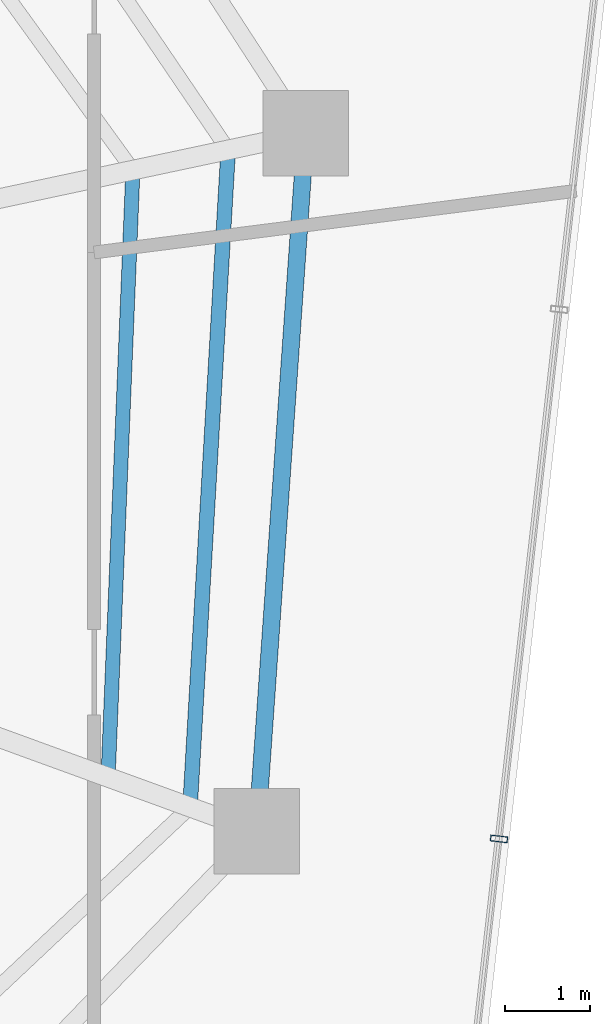
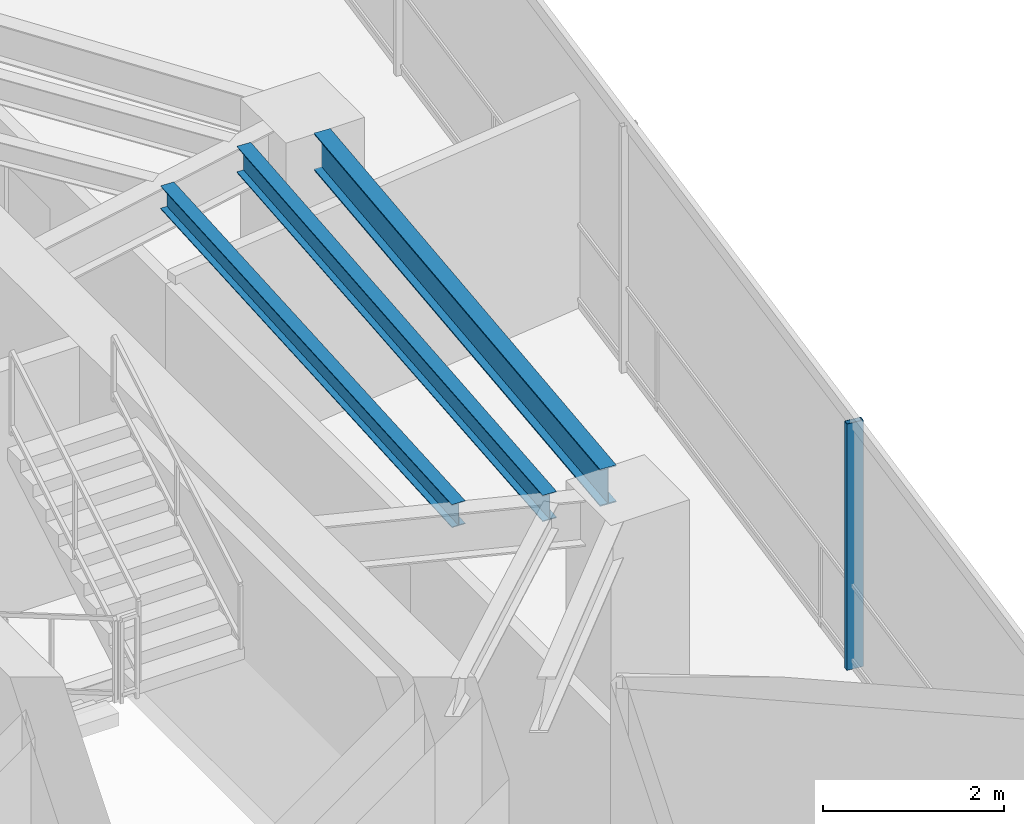
# One storey, part 10 of 22: 3 beams, 1 member, 1 element without a shape of its own.
"""IFC4 building model written with IfcOpenShell, lengths in metres."""

import ifcopenshell
import ifcopenshell.guid

model = None  # the IFC model being written
_history = None  # IfcOwnerHistory: only IFC2X3 demands one
_inside = {}  # id of a spatial element -> (the spatial element, [elements in it])
_under = {}  # id of a project, library or spatial element -> (it, [spatial elements below it])
_declared = {}  # id of a project -> (the project, [libraries it declares])
_typed = {}  # id of a type object -> (the type object, [elements of that type])
_made_of = {}  # id of a material, layer set ... -> (it, [elements and type objects made of it])


def new_model(schema):
    """Start an empty IFC model of exactly this schema.

    Asked for "IFC4X3", IfcOpenShell would pick the latest addendum, in which some entities
    have other attributes; the version numbers below select the first issue.
    IFC2X3 requires an IfcOwnerHistory on every rooted entity: one is made here for all.
    """
    global model, _history
    if schema == "IFC4X3":
        model = ifcopenshell.file(schema_version=(4, 3, 0, 0))
    else:
        model = ifcopenshell.file(schema=schema)
    _inside.clear()
    _under.clear()
    _declared.clear()
    _typed.clear()
    _made_of.clear()
    _history = None
    if model.schema == "IFC2X3":
        org = make("IfcOrganization", Name="unknown")
        user = make(
            "IfcPersonAndOrganization",
            ThePerson=make("IfcPerson", FamilyName="unknown"),
            TheOrganization=org,
        )
        app = make(
            "IfcApplication",
            ApplicationDeveloper=org,
            Version="unknown",
            ApplicationFullName="unknown",
            ApplicationIdentifier="unknown",
        )
        _history = make(
            "IfcOwnerHistory",
            OwningUser=user,
            OwningApplication=app,
            ChangeAction="ADDED",
            CreationDate=0,
        )
    return model


def make(cls, **values):
    """One entity of the class cls with the attributes given. An attribute that is None is left unset."""
    return model.create_entity(
        cls, **{name: value for name, value in values.items() if value is not None}
    )


def rooted(cls, **values):
    """An entity with a GlobalId (a new one), such as an element, a storey or a relation."""
    return make(cls, GlobalId=ifcopenshell.guid.new(), OwnerHistory=_history, **values)


def si_unit(unit_type, name, prefix=None):
    """IfcSIUnit, for example si_unit("LENGTHUNIT", "METRE", prefix="MILLI")."""
    return make("IfcSIUnit", UnitType=unit_type, Prefix=prefix, Name=name)


def assignment(units):
    """IfcUnitAssignment: the units of a project."""
    return None if units is None else make("IfcUnitAssignment", Units=units)


def point(xyz):
    """IfcCartesianPoint."""
    return None if xyz is None else make("IfcCartesianPoint", Coordinates=xyz)


def direction(xyz):
    """IfcDirection."""
    return None if xyz is None else make("IfcDirection", DirectionRatios=xyz)


def frame(location, z_axis=None, x_axis=None):
    """IfcAxis2Placement3D, a coordinate frame: its origin and axes. An axis left out is left unset."""
    return make(
        "IfcAxis2Placement3D",
        Location=point(location),
        Axis=direction(z_axis),
        RefDirection=direction(x_axis),
    )


def frame_2d(location, x_axis=None):
    """IfcAxis2Placement2D, a coordinate frame in the plane: its origin and x axis."""
    return make(
        "IfcAxis2Placement2D", Location=point(location), RefDirection=direction(x_axis)
    )


def origin():
    """The frame at (0, 0, 0) with its axes left unset."""
    return frame((0.0, 0.0, 0.0))


def origin_2d():
    """The frame at (0, 0) in the plane with its x axis left unset."""
    return frame_2d((0.0, 0.0))


def place(relative_to, where):
    """IfcLocalPlacement: puts the frame where relative to a parent placement (None: the world)."""
    return make(
        "IfcLocalPlacement", PlacementRelTo=relative_to, RelativePlacement=where
    )


def context(
    kind, dimensions, precision=None, world=None, true_north=None, identifier=None
):
    """IfcGeometricRepresentationContext, for example the 3D "Model" context."""
    return make(
        "IfcGeometricRepresentationContext",
        ContextIdentifier=identifier,
        ContextType=kind,
        CoordinateSpaceDimension=dimensions,
        Precision=precision,
        WorldCoordinateSystem=world,
        TrueNorth=true_north,
    )


def subcontext(parent, identifier, kind, view, scale=None):
    """IfcGeometricRepresentationSubContext, for example "Body" below "Model"."""
    return make(
        "IfcGeometricRepresentationSubContext",
        ContextIdentifier=identifier,
        ContextType=kind,
        ParentContext=parent,
        TargetScale=scale,
        TargetView=view,
    )


def project(units=None, contexts=None):
    """IfcProject with its units and contexts."""
    return rooted(
        "IfcProject",
        Name="project",
        RepresentationContexts=contexts,
        UnitsInContext=assignment(units),
    )


def spatial(cls, under=None, at=None, **own):
    """A site, building, storey or space (cls), placed at a placement, below another one or the project."""
    s = rooted(cls, ObjectPlacement=at, **own)
    if under is not None:
        _under.setdefault(under.id(), (under, []))[1].append(s)
    return s


def profile(cls, at=None, kind="AREA", **sizes):
    """A parametric profile (cls). Its sizes go by their IFC names, for example OverallWidth=200.0."""
    return make(cls, ProfileType=kind, Position=at, **sizes)


def hollow_rectangle(**sizes):
    """IfcRectangleHollowProfileDef."""
    return profile("IfcRectangleHollowProfileDef", **sizes)


def i_section(**sizes):
    """IfcIShapeProfileDef."""
    return profile("IfcIShapeProfileDef", **sizes)


def extrude(swept, where, along, depth):
    """IfcExtrudedAreaSolid: the profile swept, set in the frame where, extruded along a direction by depth."""
    return make(
        "IfcExtrudedAreaSolid",
        SweptArea=swept,
        Position=where,
        ExtrudedDirection=direction(along),
        Depth=depth,
    )


def shape(context_of_items, identifier, shape_type, items):
    """IfcShapeRepresentation: the items that make up one representation, for example the "Body"."""
    return make(
        "IfcShapeRepresentation",
        ContextOfItems=context_of_items,
        RepresentationIdentifier=identifier,
        RepresentationType=shape_type,
        Items=items,
    )


def material(Name=None, Category=None):
    """IfcMaterial."""
    return make("IfcMaterial", Name=Name, Category=Category)


def layer(
    of_material, thickness, ventilated=None, Name=None, Category=None, Priority=None
):
    """IfcMaterialLayer: one layer of a wall or slab, of a material (None: an air gap)."""
    return make(
        "IfcMaterialLayer",
        Material=of_material,
        LayerThickness=thickness,
        IsVentilated=ventilated,
        Name=Name,
        Category=Category,
        Priority=Priority,
    )


def layer_set(layers, Name=None):
    """IfcMaterialLayerSet."""
    return make("IfcMaterialLayerSet", MaterialLayers=layers, LayerSetName=Name)


def material_profile(
    of_material, cross_section, Name=None, Category=None, Priority=None
):
    """IfcMaterialProfile: a cross section and its material."""
    return make(
        "IfcMaterialProfile",
        Name=Name,
        Material=of_material,
        Profile=cross_section,
        Priority=Priority,
        Category=Category,
    )


def profile_set(profiles, Name=None, composite=None):
    """IfcMaterialProfileSet."""
    return make(
        "IfcMaterialProfileSet",
        Name=Name,
        MaterialProfiles=profiles,
        CompositeProfile=composite,
    )


def made_of(thing, what):
    """Note that an element or type object is made of a material, layer set ...; save() writes the relation."""
    if what is not None:
        _made_of.setdefault(what.id(), (what, []))[1].append(thing)
    return thing


def type_object(cls, material=None, **own):
    """A type object (cls), such as IfcWallType, which elements share."""
    return made_of(rooted(cls, **own), material)


def element(
    cls,
    number,
    at=None,
    inside=None,
    cuts=None,
    type_object=None,
    material=None,
    context=None,
    identifier="Body",
    shape_type=None,
    held_by="IfcProductDefinitionShape",
    body=None,
    shapes=None,
    **own,
):
    """One element of the class cls, such as IfcWall. Its Tag is "e" and its number.

    at: its placement. inside: the storey or other place that contains it. cuts: it is an
    opening in that element (IfcRelVoidsElement). A single representation is given by context,
    identifier, shape_type and body (its items); several are given by shapes. held_by: the class
    of the entity that holds the representations. save() writes the other relations.
    """
    e = rooted(cls, Tag="e%d" % number, ObjectPlacement=at, **own)
    if body is not None:
        shapes = [shape(context, identifier, shape_type, body)]
    if shapes is not None:
        e.Representation = make(held_by, Representations=shapes)
    if inside is not None:
        _inside.setdefault(inside.id(), (inside, []))[1].append(e)
    if cuts is not None:
        rooted(
            "IfcRelVoidsElement", RelatingBuildingElement=cuts, RelatedOpeningElement=e
        )
    if type_object is not None:
        _typed.setdefault(type_object.id(), (type_object, []))[1].append(e)
    return made_of(e, material)


def aggregate(whole, parts):
    """IfcRelAggregates: a whole, such as a stair, and the parts it consists of."""
    return rooted("IfcRelAggregates", RelatingObject=whole, RelatedObjects=parts)


def save(model, path):
    """Write the relations noted so far, then the file.

    IfcRelAggregates (storeys below a building ...), IfcRelContainedInSpatialStructure (elements
    in a storey), IfcRelDefinesByType, IfcRelAssociatesMaterial and IfcRelDeclares: one each for
    every whole, place, type object, material and project.
    """
    for whole, parts in _under.values():
        aggregate(whole, parts)
    for where, things in _inside.values():
        rooted(
            "IfcRelContainedInSpatialStructure",
            RelatedElements=things,
            RelatingStructure=where,
        )
    for kind, things in _typed.values():
        rooted("IfcRelDefinesByType", RelatedObjects=things, RelatingType=kind)
    for what, things in _made_of.values():
        rooted("IfcRelAssociatesMaterial", RelatedObjects=things, RelatingMaterial=what)
    for by, libraries in _declared.values():
        rooted("IfcRelDeclares", RelatingContext=by, RelatedDefinitions=libraries)
    model.write(path)


model = new_model("IFC4")

# Units and contexts
model_context = context("Model", 3, precision=1e-05, world=origin(), true_north=direction((0.0, 1.0)))
body_context = subcontext(model_context, "Body", "Model", "MODEL_VIEW")
ifc_project = project(units=[si_unit("LENGTHUNIT", "METRE"), si_unit("AREAUNIT", "SQUARE_METRE"), si_unit("VOLUMEUNIT", "CUBIC_METRE"), si_unit("PLANEANGLEUNIT", "RADIAN"), si_unit("MASSUNIT", "GRAM", prefix="KILO")], contexts=[model_context])

# Site, building, storey
site_placement = place(None, origin())
site = spatial("IfcSite", under=ifc_project, at=site_placement, CompositionType="ELEMENT")
building_placement = place(site_placement, origin())
building = spatial("IfcBuilding", under=site, at=building_placement, Name="Qarnah Convention Tower", CompositionType="ELEMENT")
storey_placement = place(building_placement, frame((0.0, 0.0, 154.5)))
storey = spatial("IfcBuildingStorey", under=building, at=storey_placement, Name="L41", CompositionType="ELEMENT", Elevation=154.5)

# Beams
ifc_material_1 = material(Name="Structural steel S355JR", Category="steel")
ifc_material_profile_1 = material_profile(ifc_material_1, i_section(OverallWidth=0.166015625, OverallDepth=0.31201171875, WebThickness=0.007080078125, FlangeThickness=0.010986328125, at=origin_2d()), Name="W310X45")
ifc_profile_set_1 = profile_set([ifc_material_profile_1], Name="Structural steel S355JR")
beam_type_1 = type_object("IfcBeamType", Name="BM-JST-W310", PredefinedType="JOIST", material=ifc_profile_set_1)
beam_1_placement = place(storey_placement, frame((49.4169921875, 22.044921875, 3.1640625), z_axis=(0.040843398735, 0.999165560245, 0.0), x_axis=(-0.999165560245, 0.040843398735, 0.0)))
element("IfcBeam", 1, at=beam_1_placement, inside=storey, type_object=beam_type_1, Name="L41 joist BM-L41-IJST-09", PredefinedType="JOIST", context=body_context, shape_type="SweptSolid", body=[
    extrude(i_section(OverallWidth=0.166015625, OverallDepth=0.31201171875, WebThickness=0.007080078125, FlangeThickness=0.010986328125, at=origin_2d()), origin(), (0.0, 0.0, 1.0), 6.927978515625),
])
ifc_material_profile_2 = material_profile(ifc_material_1, i_section(OverallWidth=0.172119140625, OverallDepth=0.35595703125, WebThickness=0.007080078125, FlangeThickness=0.011962890625, at=origin_2d()), Name="W360X51")
ifc_profile_set_2 = profile_set([ifc_material_profile_2], Name="Structural steel S355JR")
beam_type_2 = type_object("IfcBeamType", Name="BM-JST-W360", PredefinedType="JOIST", material=ifc_profile_set_2)
beam_2_placement = place(storey_placement, frame((50.376953125, 21.696044921875, 3.14208984375), z_axis=(0.057977943794, 0.998317864226, 0.0), x_axis=(-0.998317864226, 0.057977943794, 0.0)))
element("IfcBeam", 2, at=beam_2_placement, inside=storey, type_object=beam_type_2, Name="L41 joist BM-L41-SJST-09", PredefinedType="JOIST", context=body_context, shape_type="SweptSolid", body=[
    extrude(i_section(OverallWidth=0.172119140625, OverallDepth=0.35595703125, WebThickness=0.007080078125, FlangeThickness=0.011962890625, at=origin_2d()), origin(), (0.0, 0.0, 1.0), 7.520751953125),
])
ifc_material_profile_3 = material_profile(ifc_material_1, i_section(OverallWidth=0.199951171875, OverallDepth=0.5, WebThickness=0.010009765625, FlangeThickness=0.01611328125, at=origin_2d()), Name="IPE500")
ifc_profile_set_3 = profile_set([ifc_material_profile_3], Name="Structural steel S355JR")
beam_type_3 = type_object("IfcBeamType", Name="BM-SPN-IPE500", PredefinedType="SPANDREL", material=ifc_profile_set_3)
beam_3_placement = place(storey_placement, frame((51.18798828125, 21.81005859375, 3.070068359375), z_axis=(0.069797433651, 0.997561185219, 0.0), x_axis=(-0.997561185219, 0.069797433651, 0.0)))
element("IfcBeam", 3, at=beam_3_placement, inside=storey, type_object=beam_type_3, Name="L41 spandrel BM-L41-SPN-09", PredefinedType="SPANDREL", context=body_context, shape_type="SweptSolid", body=[
    extrude(i_section(OverallWidth=0.199951171875, OverallDepth=0.5, WebThickness=0.010009765625, FlangeThickness=0.01611328125, at=origin_2d()), origin(), (0.0, 0.0, 1.0), 7.20556640625),
])

# Curtain wall, member
ifc_material_2 = material(Name="Tempered Low-E dark glass", Category="glass")
ifc_layer = layer(ifc_material_2, 0.172119140625)
ifc_layer_set = layer_set([ifc_layer], Name="Tempered Low-E dark glass")
curtain_wall_type = type_object("IfcCurtainWallType", Name="CWS-03", PredefinedType="NOTDEFINED", material=ifc_layer_set)
curtain_wall_placement = place(storey_placement, origin())
curtain_wall = element("IfcCurtainWall", 4, at=curtain_wall_placement, inside=storey, type_object=curtain_wall_type, Name="L41 unitised curtain wall CW-L41-F3", PredefinedType="NOTDEFINED")
ifc_material_3 = material(Name="Black anodised aluminium", Category="aluminium")
ifc_material_profile_4 = material_profile(ifc_material_3, hollow_rectangle(XDim=0.070068359375, YDim=0.199951171875, WallThickness=0.0048828125, at=origin_2d()), Name="MUL-70X200")
ifc_profile_set_4 = profile_set([ifc_material_profile_4], Name="Black anodised aluminium")
member_type = type_object("IfcMemberType", Name="MUL-T3", PredefinedType="MULLION", material=ifc_profile_set_4)
member_placement = place(storey_placement, frame((53.986572265625, 21.23388671875, 0.0), z_axis=(0.0, 0.0, 1.0), x_axis=(-0.11288161714, -0.993608444264, 0.0)))
member = element("IfcMember", 5, at=member_placement, type_object=member_type, Name="CW-L41-F3 mullion 4", PredefinedType="MULLION", context=body_context, shape_type="SweptSolid", body=[
    extrude(hollow_rectangle(XDim=0.070068359375, YDim=0.199951171875, WallThickness=0.0048828125, at=origin_2d()), origin(), (0.0, 0.0, 1.0), 3.320068359375),
])
aggregate(curtain_wall, [member])

save(model, "model.ifc")
